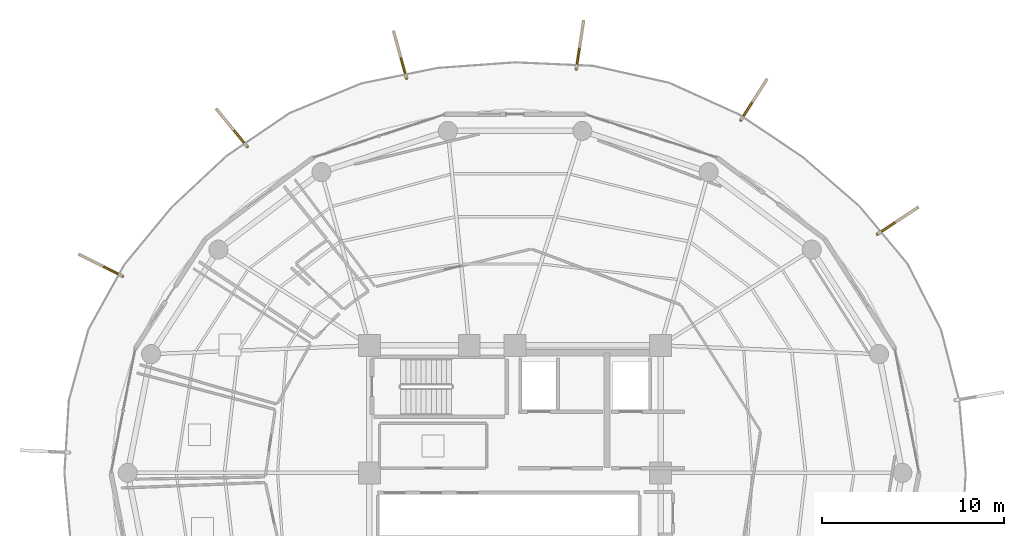
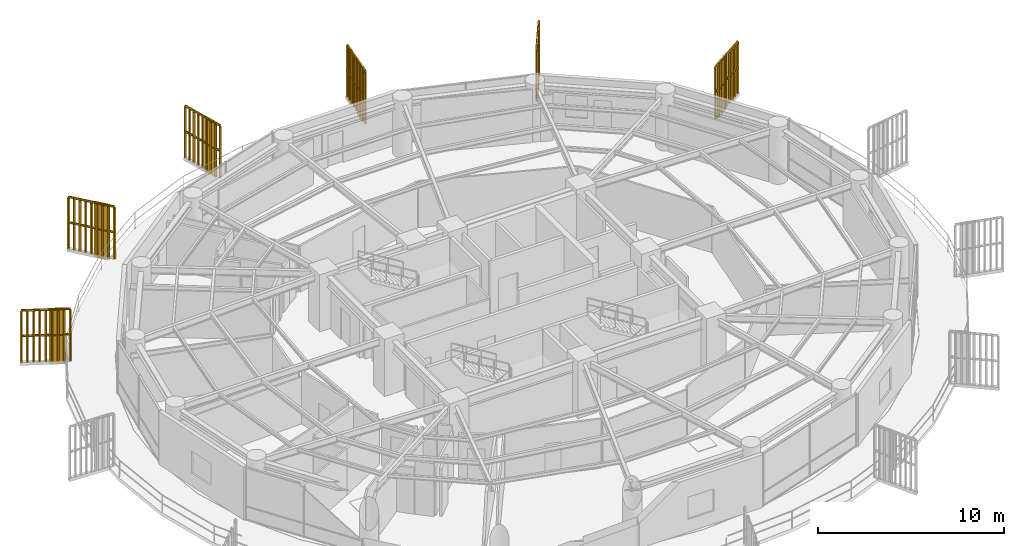
# One storey, part 30 of 30: 6 railings, 6 shading devices.
"""IFC4 building model written with IfcOpenShell, lengths in metres."""

from ifc_helpers import new_model, si_unit, direction, frame, origin, origin_2d, place, context, subcontext, project, spatial, polyline, rectangle, outline, extrude, source, transform, mapped, material, type_object, element, save


model = new_model("IFC4")

# Units and contexts
model_context = context("Model", 3, precision=1e-05, world=origin(), true_north=direction((0.0, 1.0)))
body_context = subcontext(model_context, "Body", "Model", "MODEL_VIEW")
ifc_project = project(units=[si_unit("LENGTHUNIT", "METRE"), si_unit("AREAUNIT", "SQUARE_METRE"), si_unit("VOLUMEUNIT", "CUBIC_METRE"), si_unit("PLANEANGLEUNIT", "RADIAN"), si_unit("MASSUNIT", "GRAM", prefix="KILO")], contexts=[model_context])

# Site, building, storey
site_placement = place(None, origin())
site = spatial("IfcSite", under=ifc_project, at=site_placement, CompositionType="ELEMENT")
building_placement = place(site_placement, origin())
building = spatial("IfcBuilding", under=site, at=building_placement, Name="Kelanora Arch Commons", CompositionType="ELEMENT")
storey_placement = place(building_placement, frame((0.0, 0.0, 208.199951171875)))
storey = spatial("IfcBuildingStorey", under=building, at=storey_placement, Name="L53", CompositionType="ELEMENT", Elevation=208.199951171875)

# Railings
ifc_material_1 = material(Name="Anodised bronze vertical shading fin rib assembly")
railing_type = type_object("IfcRailingType", Name="RAIL-FIN-BRZ", PredefinedType="BALUSTRADE", material=ifc_material_1)
railing_1_placement = place(storey_placement, frame((93.91162109375, 71.119384765625, -0.02001953125)))
element("IfcRailing", 1, at=railing_1_placement, inside=storey, type_object=railing_type, Name="Sweeping Bronze Vertical Fin Blade L53-03", PredefinedType="BALUSTRADE", context=body_context, shape_type="SweptSolid", body=[
    extrude(outline(polyline([(0.06982421875, 0.0), (0.034912109375, 0.060546875), (-0.034912109375, 0.060546875), (-0.06982421875, 0.0), (-0.034912109375, -0.060546875), (0.034912109375, -0.060546875), (0.06982421875, 0.0)])), frame((0.0, 0.0, 3.419921875), z_axis=(0.835041868094, 0.55018640344, 0.0), x_axis=(-0.55018640344, 0.835041868094, 0.0)), (0.0, 0.0, 1.0), 2.65087890625),
    extrude(outline(polyline([(0.06982421875, 0.0), (0.034912109375, 0.060546875), (-0.034912109375, 0.060546875), (-0.06982421875, 0.0), (-0.034912109375, -0.060546875), (0.034912109375, -0.060546875), (0.06982421875, 0.0)])), frame((0.0, 0.0, 1.7451171875), z_axis=(0.835041868094, 0.55018640344, 0.0), x_axis=(-0.55018640344, 0.835041868094, 0.0)), (0.0, 0.0, 1.0), 2.65087890625),
    extrude(outline(polyline([(0.080078125, 0.0), (0.0400390625, 0.0693359375), (-0.0400390625, 0.0693359375), (-0.080078125, 0.0), (-0.0400390625, -0.0693359375), (0.0400390625, -0.0693359375), (0.080078125, 0.0)])), origin(), (0.0, 0.0, 1.0), 3.35009765625),
    extrude(outline(polyline([(0.080078125, 0.0), (0.0400390625, 0.0693359375), (-0.0400390625, 0.0693359375), (-0.080078125, 0.0), (-0.0400390625, -0.0693359375), (0.0400390625, -0.0693359375), (0.080078125, 0.0)])), frame((0.276611328125, 0.182373046875, 0.0)), (0.0, 0.0, 1.0), 3.35009765625),
    extrude(outline(polyline([(0.080078125, 0.0), (0.0400390625, 0.0693359375), (-0.0400390625, 0.0693359375), (-0.080078125, 0.0), (-0.0400390625, -0.0693359375), (0.0400390625, -0.0693359375), (0.080078125, 0.0)])), frame((0.553466796875, 0.36474609375, 0.0)), (0.0, 0.0, 1.0), 3.35009765625),
    extrude(outline(polyline([(0.080078125, 0.0), (0.0400390625, 0.0693359375), (-0.0400390625, 0.0693359375), (-0.080078125, 0.0), (-0.0400390625, -0.0693359375), (0.0400390625, -0.0693359375), (0.080078125, 0.0)])), frame((0.830078125, 0.546875, 0.0)), (0.0, 0.0, 1.0), 3.35009765625),
    extrude(outline(polyline([(0.080078125, 0.0), (0.0400390625, 0.0693359375), (-0.0400390625, 0.0693359375), (-0.080078125, 0.0), (-0.0400390625, -0.0693359375), (0.0400390625, -0.0693359375), (0.080078125, 0.0)])), frame((1.10693359375, 0.729248046875, 0.0)), (0.0, 0.0, 1.0), 3.35009765625),
    extrude(outline(polyline([(0.080078125, 0.0), (0.0400390625, 0.0693359375), (-0.0400390625, 0.0693359375), (-0.080078125, 0.0), (-0.0400390625, -0.0693359375), (0.0400390625, -0.0693359375), (0.080078125, 0.0)])), frame((1.383544921875, 0.91162109375, 0.0)), (0.0, 0.0, 1.0), 3.35009765625),
    extrude(outline(polyline([(0.080078125, 0.0), (0.0400390625, 0.0693359375), (-0.0400390625, 0.0693359375), (-0.080078125, 0.0), (-0.0400390625, -0.0693359375), (0.0400390625, -0.0693359375), (0.080078125, 0.0)])), frame((1.66015625, 1.09375, 0.0)), (0.0, 0.0, 1.0), 3.35009765625),
    extrude(outline(polyline([(0.080078125, 0.0), (0.0400390625, 0.0693359375), (-0.0400390625, 0.0693359375), (-0.080078125, 0.0), (-0.0400390625, -0.0693359375), (0.0400390625, -0.0693359375), (0.080078125, 0.0)])), frame((1.93701171875, 1.276123046875, 0.0)), (0.0, 0.0, 1.0), 3.35009765625),
    extrude(outline(polyline([(0.080078125, 0.0), (0.0400390625, 0.0693359375), (-0.0400390625, 0.0693359375), (-0.080078125, 0.0), (-0.0400390625, -0.0693359375), (0.0400390625, -0.0693359375), (0.080078125, 0.0)])), frame((2.213623046875, 1.45849609375, 0.0)), (0.0, 0.0, 1.0), 3.35009765625),
])
railing_2_placement = place(storey_placement, frame((86.397705078125, 77.370849609375, -0.02001953125)))
element("IfcRailing", 2, at=railing_2_placement, inside=storey, type_object=railing_type, Name="Sweeping Bronze Vertical Fin Blade L53-04", PredefinedType="BALUSTRADE", context=body_context, shape_type="SweptSolid", body=[
    extrude(outline(polyline([(0.06982421875, 0.0), (0.034912109375, 0.060546875), (-0.034912109375, 0.060546875), (-0.06982421875, 0.0), (-0.034912109375, -0.060546875), (0.034912109375, -0.060546875), (0.06982421875, 0.0)])), frame((0.0, 0.0, 3.419921875), z_axis=(0.539066764028, 0.842263037252, 0.0), x_axis=(-0.842263037252, 0.539066764028, 0.0)), (0.0, 0.0, 1.0), 2.65087890625),
    extrude(outline(polyline([(0.06982421875, 0.0), (0.034912109375, 0.060546875), (-0.034912109375, 0.060546875), (-0.06982421875, 0.0), (-0.034912109375, -0.060546875), (0.034912109375, -0.060546875), (0.06982421875, 0.0)])), frame((0.0, 0.0, 1.7451171875), z_axis=(0.539066764028, 0.842263037252, 0.0), x_axis=(-0.842263037252, 0.539066764028, 0.0)), (0.0, 0.0, 1.0), 2.65087890625),
    extrude(outline(polyline([(0.080078125, 0.0), (0.0400390625, 0.0693359375), (-0.0400390625, 0.0693359375), (-0.080078125, 0.0), (-0.0400390625, -0.0693359375), (0.0400390625, -0.0693359375), (0.080078125, 0.0)])), origin(), (0.0, 0.0, 1.0), 3.35009765625),
    extrude(outline(polyline([(0.080078125, 0.0), (0.0400390625, 0.0693359375), (-0.0400390625, 0.0693359375), (-0.080078125, 0.0), (-0.0400390625, -0.0693359375), (0.0400390625, -0.0693359375), (0.080078125, 0.0)])), frame((0.1787109375, 0.279052734375, 0.0)), (0.0, 0.0, 1.0), 3.35009765625),
    extrude(outline(polyline([(0.080078125, 0.0), (0.0400390625, 0.0693359375), (-0.0400390625, 0.0693359375), (-0.080078125, 0.0), (-0.0400390625, -0.0693359375), (0.0400390625, -0.0693359375), (0.080078125, 0.0)])), frame((0.357177734375, 0.55810546875, 0.0)), (0.0, 0.0, 1.0), 3.35009765625),
    extrude(outline(polyline([(0.080078125, 0.0), (0.0400390625, 0.0693359375), (-0.0400390625, 0.0693359375), (-0.080078125, 0.0), (-0.0400390625, -0.0693359375), (0.0400390625, -0.0693359375), (0.080078125, 0.0)])), frame((0.535888671875, 0.837158203125, 0.0)), (0.0, 0.0, 1.0), 3.35009765625),
    extrude(outline(polyline([(0.080078125, 0.0), (0.0400390625, 0.0693359375), (-0.0400390625, 0.0693359375), (-0.080078125, 0.0), (-0.0400390625, -0.0693359375), (0.0400390625, -0.0693359375), (0.080078125, 0.0)])), frame((0.71435546875, 1.1162109375, 0.0)), (0.0, 0.0, 1.0), 3.35009765625),
    extrude(outline(polyline([(0.080078125, 0.0), (0.0400390625, 0.0693359375), (-0.0400390625, 0.0693359375), (-0.080078125, 0.0), (-0.0400390625, -0.0693359375), (0.0400390625, -0.0693359375), (0.080078125, 0.0)])), frame((0.89306640625, 1.3955078125, 0.0)), (0.0, 0.0, 1.0), 3.35009765625),
    extrude(outline(polyline([(0.080078125, 0.0), (0.0400390625, 0.0693359375), (-0.0400390625, 0.0693359375), (-0.080078125, 0.0), (-0.0400390625, -0.0693359375), (0.0400390625, -0.0693359375), (0.080078125, 0.0)])), frame((1.07177734375, 1.674560546875, 0.0)), (0.0, 0.0, 1.0), 3.35009765625),
    extrude(outline(polyline([(0.080078125, 0.0), (0.0400390625, 0.0693359375), (-0.0400390625, 0.0693359375), (-0.080078125, 0.0), (-0.0400390625, -0.0693359375), (0.0400390625, -0.0693359375), (0.080078125, 0.0)])), frame((1.250244140625, 1.95361328125, 0.0)), (0.0, 0.0, 1.0), 3.35009765625),
    extrude(outline(polyline([(0.080078125, 0.0), (0.0400390625, 0.0693359375), (-0.0400390625, 0.0693359375), (-0.080078125, 0.0), (-0.0400390625, -0.0693359375), (0.0400390625, -0.0693359375), (0.080078125, 0.0)])), frame((1.428955078125, 2.232666015625, 0.0)), (0.0, 0.0, 1.0), 3.35009765625),
])
railing_3_placement = place(storey_placement, frame((77.363525390625, 80.188232421875, -0.02001953125)))
element("IfcRailing", 3, at=railing_3_placement, inside=storey, type_object=railing_type, Name="Sweeping Bronze Vertical Fin Blade L53-05", PredefinedType="BALUSTRADE", context=body_context, shape_type="SweptSolid", body=[
    extrude(outline(polyline([(0.06982421875, 0.0), (0.034912109375, 0.060546875), (-0.034912109375, 0.060546875), (-0.06982421875, 0.0), (-0.034912109375, -0.060546875), (0.034912109375, -0.060546875), (0.06982421875, 0.0)])), frame((0.0, 0.0, 3.419921875), z_axis=(0.149939063841, 0.988695239765, 0.0), x_axis=(-0.988695239765, 0.149939063841, 0.0)), (0.0, 0.0, 1.0), 2.65087890625),
    extrude(outline(polyline([(0.06982421875, 0.0), (0.034912109375, 0.060546875), (-0.034912109375, 0.060546875), (-0.06982421875, 0.0), (-0.034912109375, -0.060546875), (0.034912109375, -0.060546875), (0.06982421875, 0.0)])), frame((0.0, 0.0, 1.7451171875), z_axis=(0.149939063841, 0.988695239765, 0.0), x_axis=(-0.988695239765, 0.149939063841, 0.0)), (0.0, 0.0, 1.0), 2.65087890625),
    extrude(outline(polyline([(0.080078125, 0.0), (0.0400390625, 0.0693359375), (-0.0400390625, 0.0693359375), (-0.080078125, 0.0), (-0.0400390625, -0.0693359375), (0.0400390625, -0.0693359375), (0.080078125, 0.0)])), origin(), (0.0, 0.0, 1.0), 3.35009765625),
    extrude(outline(polyline([(0.080078125, 0.0), (0.0400390625, 0.0693359375), (-0.0400390625, 0.0693359375), (-0.080078125, 0.0), (-0.0400390625, -0.0693359375), (0.0400390625, -0.0693359375), (0.080078125, 0.0)])), frame((0.0498046875, 0.32763671875, 0.0)), (0.0, 0.0, 1.0), 3.35009765625),
    extrude(outline(polyline([(0.080078125, 0.0), (0.0400390625, 0.0693359375), (-0.0400390625, 0.0693359375), (-0.080078125, 0.0), (-0.0400390625, -0.0693359375), (0.0400390625, -0.0693359375), (0.080078125, 0.0)])), frame((0.099365234375, 0.6552734375, 0.0)), (0.0, 0.0, 1.0), 3.35009765625),
    extrude(outline(polyline([(0.080078125, 0.0), (0.0400390625, 0.0693359375), (-0.0400390625, 0.0693359375), (-0.080078125, 0.0), (-0.0400390625, -0.0693359375), (0.0400390625, -0.0693359375), (0.080078125, 0.0)])), frame((0.14892578125, 0.98291015625, 0.0)), (0.0, 0.0, 1.0), 3.35009765625),
    extrude(outline(polyline([(0.080078125, 0.0), (0.0400390625, 0.0693359375), (-0.0400390625, 0.0693359375), (-0.080078125, 0.0), (-0.0400390625, -0.0693359375), (0.0400390625, -0.0693359375), (0.080078125, 0.0)])), frame((0.19873046875, 1.310546875, 0.0)), (0.0, 0.0, 1.0), 3.35009765625),
    extrude(outline(polyline([(0.080078125, 0.0), (0.0400390625, 0.0693359375), (-0.0400390625, 0.0693359375), (-0.080078125, 0.0), (-0.0400390625, -0.0693359375), (0.0400390625, -0.0693359375), (0.080078125, 0.0)])), frame((0.24853515625, 1.637939453125, 0.0)), (0.0, 0.0, 1.0), 3.35009765625),
    extrude(outline(polyline([(0.080078125, 0.0), (0.0400390625, 0.0693359375), (-0.0400390625, 0.0693359375), (-0.080078125, 0.0), (-0.0400390625, -0.0693359375), (0.0400390625, -0.0693359375), (0.080078125, 0.0)])), frame((0.298095703125, 1.965576171875, 0.0)), (0.0, 0.0, 1.0), 3.35009765625),
    extrude(outline(polyline([(0.080078125, 0.0), (0.0400390625, 0.0693359375), (-0.0400390625, 0.0693359375), (-0.080078125, 0.0), (-0.0400390625, -0.0693359375), (0.0400390625, -0.0693359375), (0.080078125, 0.0)])), frame((0.34765625, 2.293212890625, 0.0)), (0.0, 0.0, 1.0), 3.35009765625),
    extrude(outline(polyline([(0.080078125, 0.0), (0.0400390625, 0.0693359375), (-0.0400390625, 0.0693359375), (-0.080078125, 0.0), (-0.0400390625, -0.0693359375), (0.0400390625, -0.0693359375), (0.080078125, 0.0)])), frame((0.3974609375, 2.620849609375, 0.0)), (0.0, 0.0, 1.0), 3.35009765625),
])
railing_4_placement = place(storey_placement, frame((68.036865234375, 79.6787109375, -0.02001953125)))
element("IfcRailing", 4, at=railing_4_placement, inside=storey, type_object=railing_type, Name="Sweeping Bronze Vertical Fin Blade L53-06", PredefinedType="BALUSTRADE", context=body_context, shape_type="SweptSolid", body=[
    extrude(outline(polyline([(0.06982421875, 0.0), (0.034912109375, 0.060546875), (-0.034912109375, 0.060546875), (-0.06982421875, 0.0), (-0.034912109375, -0.060546875), (0.034912109375, -0.060546875), (0.06982421875, 0.0)])), frame((0.0, 0.0, 3.419921875), z_axis=(-0.265244245933, 0.964181253707, 0.0), x_axis=(-0.964181253707, -0.265244245933, 0.0)), (0.0, 0.0, 1.0), 2.65087890625),
    extrude(outline(polyline([(0.06982421875, 0.0), (0.034912109375, 0.060546875), (-0.034912109375, 0.060546875), (-0.06982421875, 0.0), (-0.034912109375, -0.060546875), (0.034912109375, -0.060546875), (0.06982421875, 0.0)])), frame((0.0, 0.0, 1.7451171875), z_axis=(-0.265244245933, 0.964181253707, 0.0), x_axis=(-0.964181253707, -0.265244245933, 0.0)), (0.0, 0.0, 1.0), 2.65087890625),
    extrude(outline(polyline([(0.080078125, 0.0), (0.0400390625, 0.0693359375), (-0.0400390625, 0.0693359375), (-0.080078125, 0.0), (-0.0400390625, -0.0693359375), (0.0400390625, -0.0693359375), (0.080078125, 0.0)])), origin(), (0.0, 0.0, 1.0), 3.35009765625),
    extrude(outline(polyline([(0.080078125, 0.0), (0.0400390625, 0.0693359375), (-0.0400390625, 0.0693359375), (-0.080078125, 0.0), (-0.0400390625, -0.0693359375), (0.0400390625, -0.0693359375), (0.080078125, 0.0)])), frame((-0.087890625, 0.319580078125, 0.0)), (0.0, 0.0, 1.0), 3.35009765625),
    extrude(outline(polyline([(0.080078125, 0.0), (0.0400390625, 0.0693359375), (-0.0400390625, 0.0693359375), (-0.080078125, 0.0), (-0.0400390625, -0.0693359375), (0.0400390625, -0.0693359375), (0.080078125, 0.0)])), frame((-0.17578125, 0.638916015625, 0.0)), (0.0, 0.0, 1.0), 3.35009765625),
    extrude(outline(polyline([(0.080078125, 0.0), (0.0400390625, 0.0693359375), (-0.0400390625, 0.0693359375), (-0.080078125, 0.0), (-0.0400390625, -0.0693359375), (0.0400390625, -0.0693359375), (0.080078125, 0.0)])), frame((-0.263671875, 0.95849609375, 0.0)), (0.0, 0.0, 1.0), 3.35009765625),
    extrude(outline(polyline([(0.080078125, 0.0), (0.0400390625, 0.0693359375), (-0.0400390625, 0.0693359375), (-0.080078125, 0.0), (-0.0400390625, -0.0693359375), (0.0400390625, -0.0693359375), (0.080078125, 0.0)])), frame((-0.3515625, 1.27783203125, 0.0)), (0.0, 0.0, 1.0), 3.35009765625),
    extrude(outline(polyline([(0.080078125, 0.0), (0.0400390625, 0.0693359375), (-0.0400390625, 0.0693359375), (-0.080078125, 0.0), (-0.0400390625, -0.0693359375), (0.0400390625, -0.0693359375), (0.080078125, 0.0)])), frame((-0.439453125, 1.597412109375, 0.0)), (0.0, 0.0, 1.0), 3.35009765625),
    extrude(outline(polyline([(0.080078125, 0.0), (0.0400390625, 0.0693359375), (-0.0400390625, 0.0693359375), (-0.080078125, 0.0), (-0.0400390625, -0.0693359375), (0.0400390625, -0.0693359375), (0.080078125, 0.0)])), frame((-0.52734375, 1.9169921875, 0.0)), (0.0, 0.0, 1.0), 3.35009765625),
    extrude(outline(polyline([(0.080078125, 0.0), (0.0400390625, 0.0693359375), (-0.0400390625, 0.0693359375), (-0.080078125, 0.0), (-0.0400390625, -0.0693359375), (0.0400390625, -0.0693359375), (0.080078125, 0.0)])), frame((-0.615234375, 2.236328125, 0.0)), (0.0, 0.0, 1.0), 3.35009765625),
    extrude(outline(polyline([(0.080078125, 0.0), (0.0400390625, 0.0693359375), (-0.0400390625, 0.0693359375), (-0.080078125, 0.0), (-0.0400390625, -0.0693359375), (0.0400390625, -0.0693359375), (0.080078125, 0.0)])), frame((-0.703125, 2.555908203125, 0.0)), (0.0, 0.0, 1.0), 3.35009765625),
])
railing_5_placement = place(storey_placement, frame((59.2890625, 75.922119140625, -0.02001953125)))
element("IfcRailing", 5, at=railing_5_placement, inside=storey, type_object=railing_type, Name="Sweeping Bronze Vertical Fin Blade L53-07", PredefinedType="BALUSTRADE", context=body_context, shape_type="SweptSolid", body=[
    extrude(outline(polyline([(0.06982421875, 0.0), (0.034912109375, 0.060546875), (-0.034912109375, 0.060546875), (-0.06982421875, 0.0), (-0.034912109375, -0.060546875), (0.034912109375, -0.060546875), (0.06982421875, 0.0)])), frame((0.0, 0.0, 3.419921875), z_axis=(-0.634450675379, 0.772963350044, 0.0), x_axis=(-0.772963350044, -0.634450675379, 0.0)), (0.0, 0.0, 1.0), 2.65087890625),
    extrude(outline(polyline([(0.06982421875, 0.0), (0.034912109375, 0.060546875), (-0.034912109375, 0.060546875), (-0.06982421875, 0.0), (-0.034912109375, -0.060546875), (0.034912109375, -0.060546875), (0.06982421875, 0.0)])), frame((0.0, 0.0, 1.7451171875), z_axis=(-0.634450675379, 0.772963350044, 0.0), x_axis=(-0.772963350044, -0.634450675379, 0.0)), (0.0, 0.0, 1.0), 2.65087890625),
    extrude(outline(polyline([(0.080078125, 0.0), (0.0400390625, 0.0693359375), (-0.0400390625, 0.0693359375), (-0.080078125, 0.0), (-0.0400390625, -0.0693359375), (0.0400390625, -0.0693359375), (0.080078125, 0.0)])), origin(), (0.0, 0.0, 1.0), 3.35009765625),
    extrude(outline(polyline([(0.080078125, 0.0), (0.0400390625, 0.0693359375), (-0.0400390625, 0.0693359375), (-0.080078125, 0.0), (-0.0400390625, -0.0693359375), (0.0400390625, -0.0693359375), (0.080078125, 0.0)])), frame((-0.210205078125, 0.256103515625, 0.0)), (0.0, 0.0, 1.0), 3.35009765625),
    extrude(outline(polyline([(0.080078125, 0.0), (0.0400390625, 0.0693359375), (-0.0400390625, 0.0693359375), (-0.080078125, 0.0), (-0.0400390625, -0.0693359375), (0.0400390625, -0.0693359375), (0.080078125, 0.0)])), frame((-0.42041015625, 0.51220703125, 0.0)), (0.0, 0.0, 1.0), 3.35009765625),
    extrude(outline(polyline([(0.080078125, 0.0), (0.0400390625, 0.0693359375), (-0.0400390625, 0.0693359375), (-0.080078125, 0.0), (-0.0400390625, -0.0693359375), (0.0400390625, -0.0693359375), (0.080078125, 0.0)])), frame((-0.630615234375, 0.768310546875, 0.0)), (0.0, 0.0, 1.0), 3.35009765625),
    extrude(outline(polyline([(0.080078125, 0.0), (0.0400390625, 0.0693359375), (-0.0400390625, 0.0693359375), (-0.080078125, 0.0), (-0.0400390625, -0.0693359375), (0.0400390625, -0.0693359375), (0.080078125, 0.0)])), frame((-0.8408203125, 1.0244140625, 0.0)), (0.0, 0.0, 1.0), 3.35009765625),
    extrude(outline(polyline([(0.080078125, 0.0), (0.0400390625, 0.0693359375), (-0.0400390625, 0.0693359375), (-0.080078125, 0.0), (-0.0400390625, -0.0693359375), (0.0400390625, -0.0693359375), (0.080078125, 0.0)])), frame((-1.05126953125, 1.28076171875, 0.0)), (0.0, 0.0, 1.0), 3.35009765625),
    extrude(outline(polyline([(0.080078125, 0.0), (0.0400390625, 0.0693359375), (-0.0400390625, 0.0693359375), (-0.080078125, 0.0), (-0.0400390625, -0.0693359375), (0.0400390625, -0.0693359375), (0.080078125, 0.0)])), frame((-1.261474609375, 1.536865234375, 0.0)), (0.0, 0.0, 1.0), 3.35009765625),
    extrude(outline(polyline([(0.080078125, 0.0), (0.0400390625, 0.0693359375), (-0.0400390625, 0.0693359375), (-0.080078125, 0.0), (-0.0400390625, -0.0693359375), (0.0400390625, -0.0693359375), (0.080078125, 0.0)])), frame((-1.4716796875, 1.79296875, 0.0)), (0.0, 0.0, 1.0), 3.35009765625),
    extrude(outline(polyline([(0.080078125, 0.0), (0.0400390625, 0.0693359375), (-0.0400390625, 0.0693359375), (-0.080078125, 0.0), (-0.0400390625, -0.0693359375), (0.0400390625, -0.0693359375), (0.080078125, 0.0)])), frame((-1.681884765625, 2.049072265625, 0.0)), (0.0, 0.0, 1.0), 3.35009765625),
])
railing_6_placement = place(storey_placement, frame((52.435546875, 68.80810546875, -0.02001953125)))
element("IfcRailing", 6, at=railing_6_placement, inside=storey, type_object=railing_type, Name="Sweeping Bronze Vertical Fin Blade L53-08", PredefinedType="BALUSTRADE", context=body_context, shape_type="SweptSolid", body=[
    extrude(outline(polyline([(0.06982421875, 0.0), (0.034912109375, 0.060546875), (-0.034912109375, 0.060546875), (-0.06982421875, 0.0), (-0.034912109375, -0.060546875), (0.034912109375, -0.060546875), (0.06982421875, 0.0)])), frame((0.0, 0.0, 3.419921875), z_axis=(-0.893984643251, 0.448097598333, 0.0), x_axis=(-0.448097598333, -0.893984643251, 0.0)), (0.0, 0.0, 1.0), 2.650634765625),
    extrude(outline(polyline([(0.06982421875, 0.0), (0.034912109375, 0.060546875), (-0.034912109375, 0.060546875), (-0.06982421875, 0.0), (-0.034912109375, -0.060546875), (0.034912109375, -0.060546875), (0.06982421875, 0.0)])), frame((0.0, 0.0, 1.7451171875), z_axis=(-0.893984643251, 0.448097598333, 0.0), x_axis=(-0.448097598333, -0.893984643251, 0.0)), (0.0, 0.0, 1.0), 2.650634765625),
    extrude(outline(polyline([(0.080078125, 0.0), (0.0400390625, 0.0693359375), (-0.0400390625, 0.0693359375), (-0.080078125, 0.0), (-0.0400390625, -0.0693359375), (0.0400390625, -0.0693359375), (0.080078125, 0.0)])), origin(), (0.0, 0.0, 1.0), 3.35009765625),
    extrude(outline(polyline([(0.080078125, 0.0), (0.0400390625, 0.0693359375), (-0.0400390625, 0.0693359375), (-0.080078125, 0.0), (-0.0400390625, -0.0693359375), (0.0400390625, -0.0693359375), (0.080078125, 0.0)])), frame((-0.296142578125, 0.1484375, 0.0)), (0.0, 0.0, 1.0), 3.35009765625),
    extrude(outline(polyline([(0.080078125, 0.0), (0.0400390625, 0.0693359375), (-0.0400390625, 0.0693359375), (-0.080078125, 0.0), (-0.0400390625, -0.0693359375), (0.0400390625, -0.0693359375), (0.080078125, 0.0)])), frame((-0.59228515625, 0.296875, 0.0)), (0.0, 0.0, 1.0), 3.35009765625),
    extrude(outline(polyline([(0.080078125, 0.0), (0.0400390625, 0.0693359375), (-0.0400390625, 0.0693359375), (-0.080078125, 0.0), (-0.0400390625, -0.0693359375), (0.0400390625, -0.0693359375), (0.080078125, 0.0)])), frame((-0.888671875, 0.4453125, 0.0)), (0.0, 0.0, 1.0), 3.35009765625),
    extrude(outline(polyline([(0.080078125, 0.0), (0.0400390625, 0.0693359375), (-0.0400390625, 0.0693359375), (-0.080078125, 0.0), (-0.0400390625, -0.0693359375), (0.0400390625, -0.0693359375), (0.080078125, 0.0)])), frame((-1.184814453125, 0.59375, 0.0)), (0.0, 0.0, 1.0), 3.35009765625),
    extrude(outline(polyline([(0.080078125, 0.0), (0.0400390625, 0.0693359375), (-0.0400390625, 0.0693359375), (-0.080078125, 0.0), (-0.0400390625, -0.0693359375), (0.0400390625, -0.0693359375), (0.080078125, 0.0)])), frame((-1.48095703125, 0.742431640625, 0.0)), (0.0, 0.0, 1.0), 3.35009765625),
    extrude(outline(polyline([(0.080078125, 0.0), (0.0400390625, 0.0693359375), (-0.0400390625, 0.0693359375), (-0.080078125, 0.0), (-0.0400390625, -0.0693359375), (0.0400390625, -0.0693359375), (0.080078125, 0.0)])), frame((-1.77734375, 0.890869140625, 0.0)), (0.0, 0.0, 1.0), 3.35009765625),
    extrude(outline(polyline([(0.080078125, 0.0), (0.0400390625, 0.0693359375), (-0.0400390625, 0.0693359375), (-0.080078125, 0.0), (-0.0400390625, -0.0693359375), (0.0400390625, -0.0693359375), (0.080078125, 0.0)])), frame((-2.073486328125, 1.039306640625, 0.0)), (0.0, 0.0, 1.0), 3.35009765625),
    extrude(outline(polyline([(0.080078125, 0.0), (0.0400390625, 0.0693359375), (-0.0400390625, 0.0693359375), (-0.080078125, 0.0), (-0.0400390625, -0.0693359375), (0.0400390625, -0.0693359375), (0.080078125, 0.0)])), frame((-2.36962890625, 1.187744140625, 0.0)), (0.0, 0.0, 1.0), 3.35009765625),
])

# Shading devices
ifc_material_2 = material(Name="Terracotta ceramic-clad extruded aluminium fin", Category="masonry")
shading_device_type = type_object("IfcShadingDeviceType", Name="SHD-FIN-FLARE", PredefinedType="USERDEFINED", material=ifc_material_2)
shared_shape = source(origin(), body_context, "Body", "SweptSolid", [
    extrude(rectangle(XDim=0.8798828125, YDim=0.090087890625, at=origin_2d()), origin(), (0.0, 0.0, 1.0), 3.610107421875),
])
for number, where, z_axis, x_axis, name in (
    (7, (94.512939453125, 71.515380859375, -0.14013671875), (0.0, 0.0, 1.0), (0.835039966425, 0.550189289674, 0.0), "Sweeping Terracotta Fin L53-03"),
    (8, (86.785888671875, 77.977294921875, -0.14013671875), (0.0, 0.0, 1.0), (0.539064823539, 0.842264279204, 0.0), "Sweeping Terracotta Fin L53-04"),
    (9, (77.471435546875, 80.900146484375, -0.14013671875), (0.0, 0.0, 1.0), (0.149880475413, 0.988704123128, 0.0), "Sweeping Terracotta Fin L53-05"),
    (10, (67.845947265625, 80.372802734375, -0.14013671875), (0.0, 0.0, 1.0), (-0.265219568533, 0.964188042068, 0.0), "Sweeping Terracotta Fin L53-06"),
    (11, (58.832275390625, 76.478759765625, -0.14013671875), (0.0, 0.0, 1.0), (-0.634460739636, 0.772955089162, 0.0), "Sweeping Terracotta Fin L53-07"),
    (12, (51.7919921875, 69.130615234375, -0.14013671875), (0.0, 0.0, 1.0), (-0.893997884961, 0.448071179262, 0.0), "Sweeping Terracotta Fin L53-08"),
):
    element("IfcShadingDevice", number, at=place(storey_placement, frame(where, z_axis=z_axis, x_axis=x_axis)), inside=storey, type_object=shading_device_type, Name=name, ObjectType="FIN", PredefinedType="USERDEFINED", context=body_context, shape_type="MappedRepresentation", body=[
        mapped(shared_shape, transform((0.0, 0.0, 0.0), scale=1.0)),
    ])

save(model, "model.ifc")
